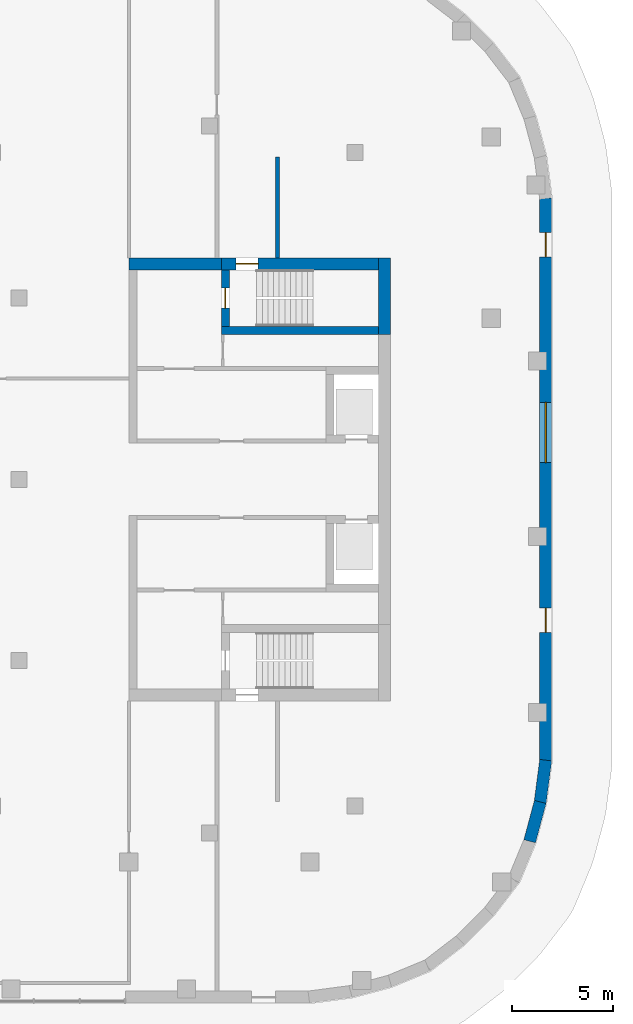
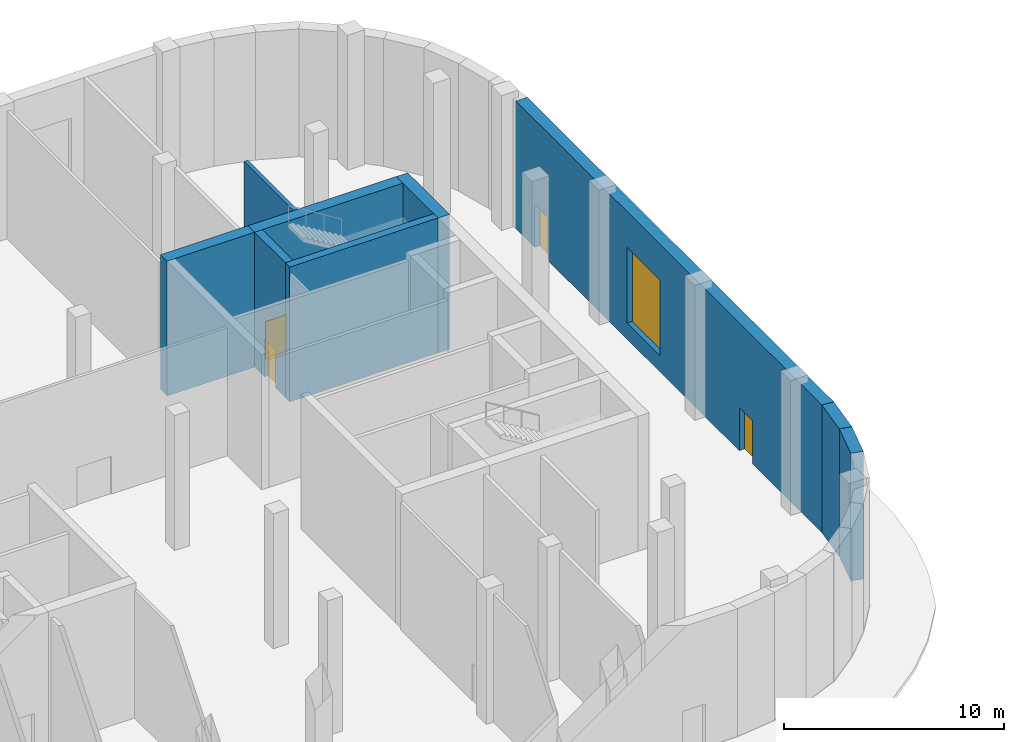
# One storey, part 22 of 30: 9 walls, 4 doors, 1 window, 5 openings.
"""IFC4 building model written with IfcOpenShell, lengths in metres."""

from ifc_helpers import new_model, si_unit, direction, frame, frame_2d, origin, place, context, subcontext, project, spatial, rectangle, extrude, material, layer, layer_set, type_object, element, fill, save


model = new_model("IFC4")

# Units and contexts
model_context = context("Model", 3, precision=1e-05, world=origin(), true_north=direction((0.0, 1.0)))
body_context = subcontext(model_context, "Body", "Model", "MODEL_VIEW")
ifc_project = project(units=[si_unit("LENGTHUNIT", "METRE"), si_unit("AREAUNIT", "SQUARE_METRE"), si_unit("VOLUMEUNIT", "CUBIC_METRE"), si_unit("PLANEANGLEUNIT", "RADIAN"), si_unit("MASSUNIT", "GRAM", prefix="KILO")], contexts=[model_context])

# Site, building, storey
site_placement = place(None, origin())
site = spatial("IfcSite", under=ifc_project, at=site_placement, CompositionType="ELEMENT")
building_placement = place(site_placement, origin())
building = spatial("IfcBuilding", under=site, at=building_placement, Name="Skarvind Civic Tower", CompositionType="ELEMENT")
storey_placement = place(building_placement, origin())
storey = spatial("IfcBuildingStorey", under=building, at=storey_placement, Name="L00", CompositionType="ELEMENT", Elevation=0.0)

# Wall
ifc_material_1 = material(Name="Concrete C80", Category="concrete")
ifc_layer_1 = layer(ifc_material_1, 0.39990234375)
ifc_layer_set_1 = layer_set([ifc_layer_1], Name="Core wall 400 C80")
wall_type_1 = type_object("IfcWallType", Name="Core wall 400 C80", PredefinedType="SHEAR", material=ifc_layer_set_1)
wall_1_placement = place(storey_placement, frame((166.39990234375, 135.39990234375, 0.0), z_axis=(0.0, 0.0, 1.0), x_axis=(-1.0, 0.0, 0.0)))
element("IfcWall", 1, at=wall_1_placement, inside=storey, type_object=wall_type_1, Name="Core wall CB south stair inner L00", PredefinedType="SHEAR", context=body_context, shape_type="SweptSolid", body=[
    extrude(rectangle(XDim=7.7998046875, YDim=0.39990234375, at=frame_2d((3.89990234375, 0.0))), origin(), (0.0, 0.0, 1.0), 7.5),
])

# Wall, opening, door
wall_2_placement = place(storey_placement, frame((158.800048828125, 138.39990234375, 0.0), z_axis=(0.0, 0.0, 1.0), x_axis=(0.0, -1.0, 0.0)))
wall_2 = element("IfcWall", 2, at=wall_2_placement, inside=storey, type_object=wall_type_1, Name="Core wall CB south stair end L00", PredefinedType="SHEAR", context=body_context, shape_type="SweptSolid", body=[
    extrude(rectangle(XDim=2.7998046875, YDim=0.39990234375, at=frame_2d((1.39990234375, 0.0))), origin(), (0.0, 0.0, 1.0), 7.5),
])
opening_1_placement = place(wall_2_placement, frame((0.89990234375, 0.0, 0.0)))
opening_1 = element("IfcOpeningElement", 3, at=opening_1_placement, cuts=wall_2, Name="Opening D-L00-CB-09", PredefinedType="OPENING", context=body_context, shape_type="SweptSolid", body=[
    extrude(rectangle(XDim=1.0, YDim=2.10009765625, at=frame_2d((0.5, 1.050048828125))), frame((0.0, 0.2099609375, 0.0), z_axis=(0.0, -1.0, 0.0), x_axis=(1.0, 0.0, 0.0)), (0.0, 0.0, 1.0), 0.419921875),
])
ifc_material_2 = material(Name="Fire-rated steel door", Category="steel")
door_type_1 = type_object("IfcDoorType", Name="Fire door 1000", OperationType="NOTDEFINED", PredefinedType="DOOR", material=ifc_material_2)
door_1_placement = place(opening_1_placement, origin())
door_1 = element("IfcDoor", 4, at=door_1_placement, inside=storey, type_object=door_type_1, Name="Fire door", OperationType="SINGLE_SWING_RIGHT", OverallHeight=2.10009765625, OverallWidth=1.0, PredefinedType="DOOR", context=body_context, shape_type="SweptSolid", body=[
    extrude(rectangle(XDim=1.0, YDim=2.10009765625, at=frame_2d((0.5, 1.050048828125))), frame((0.0, 0.02490234375, 0.0), z_axis=(0.0, -1.0, 0.0), x_axis=(1.0, 0.0, 0.0)), (0.0, 0.0, 1.0), 0.050048828125),
])
fill(opening_1, door_1)

# Wall
ifc_layer_2 = layer(ifc_material_1, 0.60009765625)
ifc_layer_set_2 = layer_set([ifc_layer_2], Name="Core wall 600 C80")
wall_type_2 = type_object("IfcWallType", Name="Core wall 600 C80", PredefinedType="SHEAR", material=ifc_layer_set_2)
wall_3_placement = place(storey_placement, frame((166.699951171875, 139.0, 0.0), z_axis=(0.0, 0.0, 1.0), x_axis=(0.0, -1.0, 0.0)))
element("IfcWall", 5, at=wall_3_placement, inside=storey, type_object=wall_type_2, Name="Core wall CB tip at the south stair L00", PredefinedType="SHEAR", context=body_context, shape_type="SweptSolid", body=[
    extrude(rectangle(XDim=3.800048828125, YDim=0.60009765625, at=frame_2d((1.89990234375, 0.0))), origin(), (0.0, 0.0, 1.0), 7.5),
])

# Wall, opening, door
wall_4_placement = place(storey_placement, frame((166.39990234375, 138.699951171875, 0.0), z_axis=(0.0, 0.0, 1.0), x_axis=(-1.0, 0.0, 0.0)))
wall_4 = element("IfcWall", 6, at=wall_4_placement, inside=storey, type_object=wall_type_2, Name="Core wall CB south side at the stair L00", PredefinedType="SHEAR", context=body_context, shape_type="SweptSolid", body=[
    extrude(rectangle(XDim=7.7998046875, YDim=0.60009765625, at=frame_2d((3.89990234375, 0.0))), origin(), (0.0, 0.0, 1.0), 7.5),
])
opening_2_placement = place(wall_4_placement, frame((5.97509765625, 0.0, 0.0)))
opening_2 = element("IfcOpeningElement", 7, at=opening_2_placement, cuts=wall_4, Name="Opening D-L00-CB-11", PredefinedType="OPENING", context=body_context, shape_type="SweptSolid", body=[
    extrude(rectangle(XDim=1.10009765625, YDim=2.10009765625, at=frame_2d((0.550048828125, 1.050048828125))), frame((0.0, 0.31005859375, 0.0), z_axis=(0.0, -1.0, 0.0), x_axis=(1.0, 0.0, 0.0)), (0.0, 0.0, 1.0), 0.6201171875),
])
door_type_2 = type_object("IfcDoorType", Name="Fire door 1100", OperationType="NOTDEFINED", PredefinedType="DOOR", material=ifc_material_2)
door_2_placement = place(opening_2_placement, origin())
door_2 = element("IfcDoor", 8, at=door_2_placement, inside=storey, type_object=door_type_2, Name="Stair exit door", OperationType="SINGLE_SWING_LEFT", OverallHeight=2.10009765625, OverallWidth=1.10009765625, PredefinedType="DOOR", context=body_context, shape_type="SweptSolid", body=[
    extrude(rectangle(XDim=1.10009765625, YDim=2.10009765625, at=frame_2d((0.550048828125, 1.050048828125))), frame((0.0, 0.02490234375, 0.0), z_axis=(0.0, -1.0, 0.0), x_axis=(1.0, 0.0, 0.0)), (0.0, 0.0, 1.0), 0.050048828125),
])
fill(opening_2, door_2)

# Walls
wall_5_placement = place(storey_placement, frame((158.60009765625, 138.699951171875, 0.0), z_axis=(0.0, 0.0, 1.0), x_axis=(-1.0, 0.0, 0.0)))
element("IfcWall", 9, at=wall_5_placement, inside=storey, type_object=wall_type_2, Name="Core wall CB south side L00", PredefinedType="SHEAR", context=body_context, shape_type="SweptSolid", body=[
    extrude(rectangle(XDim=4.60009765625, YDim=0.60009765625, at=frame_2d((2.300048828125, 0.0))), origin(), (0.0, 0.0, 1.0), 7.5),
])
ifc_material_3 = material(Name="Fire-rated blockwork wall, plastered", Category="masonry")
ifc_layer_3 = layer(ifc_material_3, 0.199951171875)
ifc_layer_set_3 = layer_set([ifc_layer_3], Name="FIRE WALL 200 EI 120")
wall_type_3 = type_object("IfcWallType", Name="FIRE WALL 200 EI 120", PredefinedType="PARTITIONING", material=ifc_layer_set_3)
wall_6_placement = place(storey_placement, frame((161.375, 139.0, 0.0), z_axis=(0.0, 0.0, 1.0), x_axis=(0.0, 1.0, 0.0)))
element("IfcWall", 10, at=wall_6_placement, inside=storey, type_object=wall_type_3, Name="Podium partition L00 216", PredefinedType="PARTITIONING", context=body_context, shape_type="SweptSolid", body=[
    extrude(rectangle(XDim=5.0, YDim=0.199951171875, at=frame_2d((2.5, 0.0))), origin(), (0.0, 0.0, 1.0), 7.10009765625),
])
ifc_material_4 = material(Name="Limestone masonry cladding on insulated backing", Category="masonry")
ifc_layer_4 = layer(ifc_material_4, 0.60009765625)
ifc_layer_set_4 = layer_set([ifc_layer_4], Name="WX1 STONE FACADE WALL 600")
wall_type_4 = type_object("IfcWallType", Name="WX1 STONE FACADE WALL 600", PredefinedType="SOLIDWALL", material=ifc_layer_set_4)
wall_7_placement = place(storey_placement, frame((174.431884765625, 111.986083984375, 0.0), z_axis=(0.0, 0.0, 1.0), x_axis=(-0.258804467146, -0.965929732323, 0.0)))
element("IfcWall", 11, at=wall_7_placement, inside=storey, type_object=wall_type_4, Name="STONE FACADE WALL", PredefinedType="SOLIDWALL", context=body_context, shape_type="SweptSolid", body=[
    extrude(rectangle(XDim=2.0224609375, YDim=0.60009765625, at=frame_2d((1.01123046875, 0.0))), origin(), (0.0, 0.0, 1.0), 7.10009765625),
])
wall_8_placement = place(storey_placement, frame((174.70263671875, 114.06103515625, 0.0), z_axis=(0.0, 0.0, 1.0), x_axis=(-0.130558200013, -0.991440646942, 0.0)))
element("IfcWall", 12, at=wall_8_placement, inside=storey, type_object=wall_type_4, Name="STONE FACADE WALL", PredefinedType="SOLIDWALL", context=body_context, shape_type="SweptSolid", body=[
    extrude(rectangle(XDim=2.1318359375, YDim=0.60009765625, at=frame_2d((1.06591796875, 0.0))), origin(), (0.0, 0.0, 1.0), 7.10009765625),
])

# Wall, openings, doors, window
ifc_layer_5 = layer(ifc_material_4, 0.60009765625)
ifc_layer_set_5 = layer_set([ifc_layer_5], Name="WX1F FIRE-RATED STONE FACADE WALL 600")
wall_type_5 = type_object("IfcWallType", Name="WX1F FIRE-RATED STONE FACADE WALL 600", PredefinedType="SOLIDWALL", material=ifc_layer_set_5)
wall_9_placement = place(storey_placement, frame((174.699951171875, 141.978271484375, 0.0), z_axis=(0.0, 0.0, 1.0), x_axis=(0.0, -1.0, 0.0)))
wall_9 = element("IfcWall", 13, at=wall_9_placement, inside=storey, type_object=wall_type_5, Name="STONE FACADE WALL", PredefinedType="SOLIDWALL", context=body_context, shape_type="SweptSolid", body=[
    extrude(rectangle(XDim=27.95654296875, YDim=0.60009765625, at=frame_2d((13.978271484375, 0.0))), origin(), (0.0, 0.0, 1.0), 7.10009765625),
])
opening_3_placement = place(wall_9_placement, frame((1.729736328125, 0.0, 0.0)))
opening_3 = element("IfcOpeningElement", 14, at=opening_3_placement, cuts=wall_9, Name="Opening DX2", PredefinedType="OPENING", context=body_context, shape_type="SweptSolid", body=[
    extrude(rectangle(XDim=1.199951171875, YDim=2.39990234375, at=frame_2d((0.60009765625, 1.199951171875))), frame((0.0, 0.31005859375, 0.0), z_axis=(0.0, -1.0, 0.0), x_axis=(1.0, 0.0, 0.0)), (0.0, 0.0, 1.0), 0.6201171875),
])
opening_4_placement = place(wall_9_placement, frame((10.1484375, 0.0, 0.89990234375)))
opening_4 = element("IfcOpeningElement", 15, at=opening_4_placement, cuts=wall_9, Name="Opening WN3", PredefinedType="OPENING", context=body_context, shape_type="SweptSolid", body=[
    extrude(rectangle(XDim=3.0, YDim=4.199951171875, at=frame_2d((1.5, 2.10009765625))), frame((0.0, 0.31005859375, 0.0), z_axis=(0.0, -1.0, 0.0), x_axis=(1.0, 0.0, 0.0)), (0.0, 0.0, 1.0), 0.6201171875),
])
opening_5_placement = place(wall_9_placement, frame((20.3671875, 0.0, 0.0)))
opening_5 = element("IfcOpeningElement", 16, at=opening_5_placement, cuts=wall_9, Name="Opening DX2", PredefinedType="OPENING", context=body_context, shape_type="SweptSolid", body=[
    extrude(rectangle(XDim=1.199951171875, YDim=2.39990234375, at=frame_2d((0.60009765625, 1.199951171875))), frame((0.0, 0.31005859375, 0.0), z_axis=(0.0, -1.0, 0.0), x_axis=(1.0, 0.0, 0.0)), (0.0, 0.0, 1.0), 0.6201171875),
])
ifc_material_5 = material(Name="Timber and glass doorset", Category="wood")
door_type_3 = type_object("IfcDoorType", Name="DX2 EXIT DOOR 1200 x 2400", OperationType="NOTDEFINED", PredefinedType="DOOR", material=ifc_material_5)
door_3_placement = place(opening_3_placement, origin())
door_3 = element("IfcDoor", 17, at=door_3_placement, inside=storey, type_object=door_type_3, Name="EXIT DOOR", OperationType="SINGLE_SWING_LEFT", OverallHeight=2.39990234375, OverallWidth=1.199951171875, PredefinedType="DOOR", context=body_context, shape_type="SweptSolid", body=[
    extrude(rectangle(XDim=1.199951171875, YDim=2.39990234375, at=frame_2d((0.60009765625, 1.199951171875))), frame((0.0, 0.02490234375, 0.0), z_axis=(0.0, -1.0, 0.0), x_axis=(1.0, 0.0, 0.0)), (0.0, 0.0, 1.0), 0.050048828125),
])
fill(opening_3, door_3)
door_4_placement = place(opening_5_placement, origin())
door_4 = element("IfcDoor", 18, at=door_4_placement, inside=storey, type_object=door_type_3, Name="EXIT DOOR", OperationType="SINGLE_SWING_RIGHT", OverallHeight=2.39990234375, OverallWidth=1.199951171875, PredefinedType="DOOR", context=body_context, shape_type="SweptSolid", body=[
    extrude(rectangle(XDim=1.199951171875, YDim=2.39990234375, at=frame_2d((0.60009765625, 1.199951171875))), frame((0.0, 0.02490234375, 0.0), z_axis=(0.0, -1.0, 0.0), x_axis=(1.0, 0.0, 0.0)), (0.0, 0.0, 1.0), 0.050048828125),
])
fill(opening_5, door_4)
ifc_material_6 = material(Name="Timber frame, double glazing, timber-lined reveal", Category="wood")
window_type = type_object("IfcWindowType", Name="WN3 GROUND STOREY STONE WINDOW 3000 x 4200", PartitioningType="SINGLE_PANEL", PredefinedType="WINDOW", material=ifc_material_6)
window_placement = place(opening_4_placement, origin())
window = element("IfcWindow", 19, at=window_placement, inside=storey, type_object=window_type, Name="WN3 WINDOW", OverallHeight=4.199951171875, OverallWidth=3.0, PartitioningType="SINGLE_PANEL", PredefinedType="WINDOW", context=body_context, shape_type="SweptSolid", body=[
    extrude(rectangle(XDim=3.0, YDim=4.199951171875, at=frame_2d((1.5, 2.10009765625))), frame((0.0, 0.030029296875, 0.0), z_axis=(0.0, -1.0, 0.0), x_axis=(1.0, 0.0, 0.0)), (0.0, 0.0, 1.0), 0.06005859375),
])
fill(opening_4, window)

save(model, "model.ifc")
